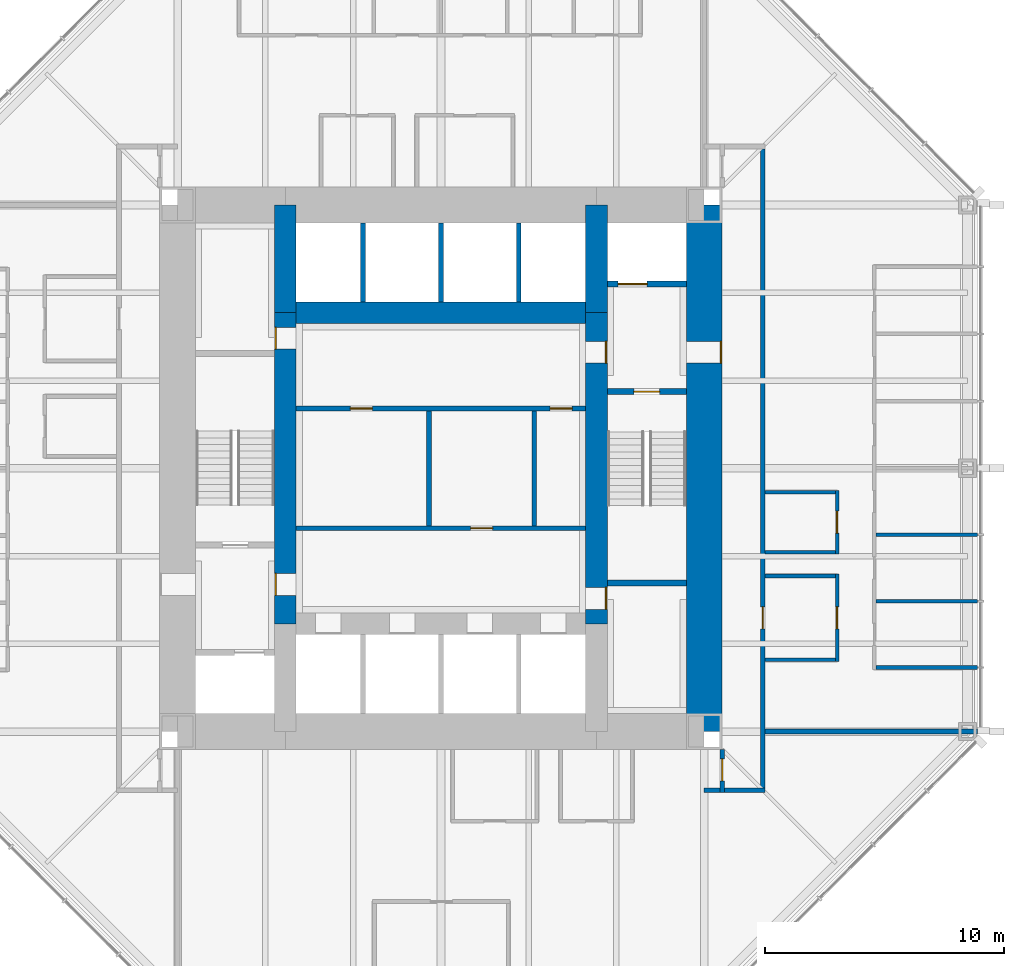
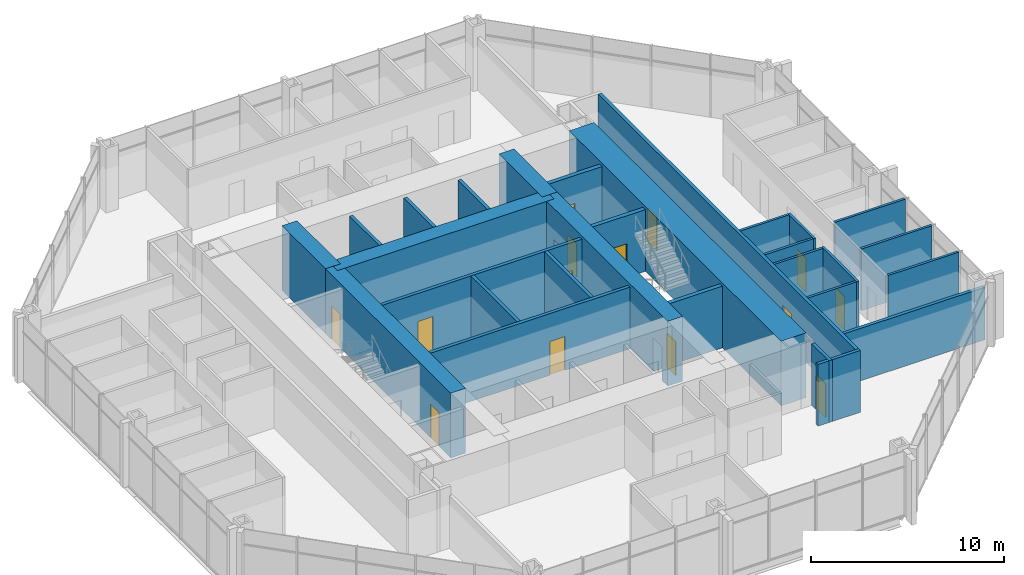
# One storey, part 10 of 14: 29 walls, 14 doors, 14 openings.
"""IFC4 building model written with IfcOpenShell, lengths in metres."""

import ifcopenshell
import ifcopenshell.guid

model = None  # the IFC model being written
_history = None  # IfcOwnerHistory: only IFC2X3 demands one
_inside = {}  # id of a spatial element -> (the spatial element, [elements in it])
_under = {}  # id of a project, library or spatial element -> (it, [spatial elements below it])
_declared = {}  # id of a project -> (the project, [libraries it declares])
_typed = {}  # id of a type object -> (the type object, [elements of that type])
_made_of = {}  # id of a material, layer set ... -> (it, [elements and type objects made of it])


def new_model(schema):
    """Start an empty IFC model of exactly this schema.

    Asked for "IFC4X3", IfcOpenShell would pick the latest addendum, in which some entities
    have other attributes; the version numbers below select the first issue.
    IFC2X3 requires an IfcOwnerHistory on every rooted entity: one is made here for all.
    """
    global model, _history
    if schema == "IFC4X3":
        model = ifcopenshell.file(schema_version=(4, 3, 0, 0))
    else:
        model = ifcopenshell.file(schema=schema)
    _inside.clear()
    _under.clear()
    _declared.clear()
    _typed.clear()
    _made_of.clear()
    _history = None
    if model.schema == "IFC2X3":
        org = make("IfcOrganization", Name="unknown")
        user = make(
            "IfcPersonAndOrganization",
            ThePerson=make("IfcPerson", FamilyName="unknown"),
            TheOrganization=org,
        )
        app = make(
            "IfcApplication",
            ApplicationDeveloper=org,
            Version="unknown",
            ApplicationFullName="unknown",
            ApplicationIdentifier="unknown",
        )
        _history = make(
            "IfcOwnerHistory",
            OwningUser=user,
            OwningApplication=app,
            ChangeAction="ADDED",
            CreationDate=0,
        )
    return model


def make(cls, **values):
    """One entity of the class cls with the attributes given. An attribute that is None is left unset."""
    return model.create_entity(
        cls, **{name: value for name, value in values.items() if value is not None}
    )


def rooted(cls, **values):
    """An entity with a GlobalId (a new one), such as an element, a storey or a relation."""
    return make(cls, GlobalId=ifcopenshell.guid.new(), OwnerHistory=_history, **values)


def si_unit(unit_type, name, prefix=None):
    """IfcSIUnit, for example si_unit("LENGTHUNIT", "METRE", prefix="MILLI")."""
    return make("IfcSIUnit", UnitType=unit_type, Prefix=prefix, Name=name)


def assignment(units):
    """IfcUnitAssignment: the units of a project."""
    return None if units is None else make("IfcUnitAssignment", Units=units)


def point(xyz):
    """IfcCartesianPoint."""
    return None if xyz is None else make("IfcCartesianPoint", Coordinates=xyz)


def direction(xyz):
    """IfcDirection."""
    return None if xyz is None else make("IfcDirection", DirectionRatios=xyz)


def frame(location, z_axis=None, x_axis=None):
    """IfcAxis2Placement3D, a coordinate frame: its origin and axes. An axis left out is left unset."""
    return make(
        "IfcAxis2Placement3D",
        Location=point(location),
        Axis=direction(z_axis),
        RefDirection=direction(x_axis),
    )


def frame_2d(location, x_axis=None):
    """IfcAxis2Placement2D, a coordinate frame in the plane: its origin and x axis."""
    return make(
        "IfcAxis2Placement2D", Location=point(location), RefDirection=direction(x_axis)
    )


def origin():
    """The frame at (0, 0, 0) with its axes left unset."""
    return frame((0.0, 0.0, 0.0))


def place(relative_to, where):
    """IfcLocalPlacement: puts the frame where relative to a parent placement (None: the world)."""
    return make(
        "IfcLocalPlacement", PlacementRelTo=relative_to, RelativePlacement=where
    )


def context(
    kind, dimensions, precision=None, world=None, true_north=None, identifier=None
):
    """IfcGeometricRepresentationContext, for example the 3D "Model" context."""
    return make(
        "IfcGeometricRepresentationContext",
        ContextIdentifier=identifier,
        ContextType=kind,
        CoordinateSpaceDimension=dimensions,
        Precision=precision,
        WorldCoordinateSystem=world,
        TrueNorth=true_north,
    )


def subcontext(parent, identifier, kind, view, scale=None):
    """IfcGeometricRepresentationSubContext, for example "Body" below "Model"."""
    return make(
        "IfcGeometricRepresentationSubContext",
        ContextIdentifier=identifier,
        ContextType=kind,
        ParentContext=parent,
        TargetScale=scale,
        TargetView=view,
    )


def project(units=None, contexts=None):
    """IfcProject with its units and contexts."""
    return rooted(
        "IfcProject",
        Name="project",
        RepresentationContexts=contexts,
        UnitsInContext=assignment(units),
    )


def spatial(cls, under=None, at=None, **own):
    """A site, building, storey or space (cls), placed at a placement, below another one or the project."""
    s = rooted(cls, ObjectPlacement=at, **own)
    if under is not None:
        _under.setdefault(under.id(), (under, []))[1].append(s)
    return s


def profile(cls, at=None, kind="AREA", **sizes):
    """A parametric profile (cls). Its sizes go by their IFC names, for example OverallWidth=200.0."""
    return make(cls, ProfileType=kind, Position=at, **sizes)


def rectangle(**sizes):
    """IfcRectangleProfileDef."""
    return profile("IfcRectangleProfileDef", **sizes)


def extrude(swept, where, along, depth):
    """IfcExtrudedAreaSolid: the profile swept, set in the frame where, extruded along a direction by depth."""
    return make(
        "IfcExtrudedAreaSolid",
        SweptArea=swept,
        Position=where,
        ExtrudedDirection=direction(along),
        Depth=depth,
    )


def shape(context_of_items, identifier, shape_type, items):
    """IfcShapeRepresentation: the items that make up one representation, for example the "Body"."""
    return make(
        "IfcShapeRepresentation",
        ContextOfItems=context_of_items,
        RepresentationIdentifier=identifier,
        RepresentationType=shape_type,
        Items=items,
    )


def material(Name=None, Category=None):
    """IfcMaterial."""
    return make("IfcMaterial", Name=Name, Category=Category)


def layer(
    of_material, thickness, ventilated=None, Name=None, Category=None, Priority=None
):
    """IfcMaterialLayer: one layer of a wall or slab, of a material (None: an air gap)."""
    return make(
        "IfcMaterialLayer",
        Material=of_material,
        LayerThickness=thickness,
        IsVentilated=ventilated,
        Name=Name,
        Category=Category,
        Priority=Priority,
    )


def layer_set(layers, Name=None):
    """IfcMaterialLayerSet."""
    return make("IfcMaterialLayerSet", MaterialLayers=layers, LayerSetName=Name)


def made_of(thing, what):
    """Note that an element or type object is made of a material, layer set ...; save() writes the relation."""
    if what is not None:
        _made_of.setdefault(what.id(), (what, []))[1].append(thing)
    return thing


def type_object(cls, material=None, **own):
    """A type object (cls), such as IfcWallType, which elements share."""
    return made_of(rooted(cls, **own), material)


def element(
    cls,
    number,
    at=None,
    inside=None,
    cuts=None,
    type_object=None,
    material=None,
    context=None,
    identifier="Body",
    shape_type=None,
    held_by="IfcProductDefinitionShape",
    body=None,
    shapes=None,
    **own,
):
    """One element of the class cls, such as IfcWall. Its Tag is "e" and its number.

    at: its placement. inside: the storey or other place that contains it. cuts: it is an
    opening in that element (IfcRelVoidsElement). A single representation is given by context,
    identifier, shape_type and body (its items); several are given by shapes. held_by: the class
    of the entity that holds the representations. save() writes the other relations.
    """
    e = rooted(cls, Tag="e%d" % number, ObjectPlacement=at, **own)
    if body is not None:
        shapes = [shape(context, identifier, shape_type, body)]
    if shapes is not None:
        e.Representation = make(held_by, Representations=shapes)
    if inside is not None:
        _inside.setdefault(inside.id(), (inside, []))[1].append(e)
    if cuts is not None:
        rooted(
            "IfcRelVoidsElement", RelatingBuildingElement=cuts, RelatedOpeningElement=e
        )
    if type_object is not None:
        _typed.setdefault(type_object.id(), (type_object, []))[1].append(e)
    return made_of(e, material)


def fill(opening, filler):
    """IfcRelFillsElement: the door or window that sits in an opening."""
    return rooted(
        "IfcRelFillsElement",
        RelatingOpeningElement=opening,
        RelatedBuildingElement=filler,
    )


def aggregate(whole, parts):
    """IfcRelAggregates: a whole, such as a stair, and the parts it consists of."""
    return rooted("IfcRelAggregates", RelatingObject=whole, RelatedObjects=parts)


def save(model, path):
    """Write the relations noted so far, then the file.

    IfcRelAggregates (storeys below a building ...), IfcRelContainedInSpatialStructure (elements
    in a storey), IfcRelDefinesByType, IfcRelAssociatesMaterial and IfcRelDeclares: one each for
    every whole, place, type object, material and project.
    """
    for whole, parts in _under.values():
        aggregate(whole, parts)
    for where, things in _inside.values():
        rooted(
            "IfcRelContainedInSpatialStructure",
            RelatedElements=things,
            RelatingStructure=where,
        )
    for kind, things in _typed.values():
        rooted("IfcRelDefinesByType", RelatedObjects=things, RelatingType=kind)
    for what, things in _made_of.values():
        rooted("IfcRelAssociatesMaterial", RelatedObjects=things, RelatingMaterial=what)
    for by, libraries in _declared.values():
        rooted("IfcRelDeclares", RelatingContext=by, RelatedDefinitions=libraries)
    model.write(path)


model = new_model("IFC4")

# Units and contexts
model_context = context("Model", 3, precision=1e-05, world=origin(), true_north=direction((0.0, 1.0)))
body_context = subcontext(model_context, "Body", "Model", "MODEL_VIEW")
ifc_project = project(units=[si_unit("LENGTHUNIT", "METRE"), si_unit("AREAUNIT", "SQUARE_METRE"), si_unit("VOLUMEUNIT", "CUBIC_METRE"), si_unit("PLANEANGLEUNIT", "RADIAN"), si_unit("MASSUNIT", "GRAM", prefix="KILO")], contexts=[model_context])

# Site, building, storey
site_placement = place(None, origin())
site = spatial("IfcSite", under=ifc_project, at=site_placement, CompositionType="ELEMENT")
building_placement = place(site_placement, origin())
building = spatial("IfcBuilding", under=site, at=building_placement, Name="Trevanion Tower", CompositionType="ELEMENT")
storey_placement = place(building_placement, frame((0.0, 0.0, 109.0)))
storey = spatial("IfcBuildingStorey", under=building, at=storey_placement, Name="L25", CompositionType="ELEMENT", Elevation=109.0)

# Wall, opening, door
ifc_material_1 = material(Name="Concrete 10,000 psi", Category="concrete")
ifc_layer_1 = layer(ifc_material_1, 1.5)
ifc_layer_set_1 = layer_set([ifc_layer_1], Name="CW1 core wall 1500")
wall_type_1 = type_object("IfcWallType", Name="CW1 core wall 1500", PredefinedType="SHEAR", material=ifc_layer_set_1)
wall_1_placement = place(storey_placement, frame((11.0, -11.0, 0.0), z_axis=(0.0, 0.0, 1.0), x_axis=(0.0, 1.0, 0.0)))
wall_1 = element("IfcWall", 1, at=wall_1_placement, inside=storey, type_object=wall_type_1, Name="CW1 CE L25", PredefinedType="SHEAR", context=body_context, shape_type="SweptSolid", body=[
    extrude(rectangle(XDim=22.0, YDim=1.5, at=frame_2d((11.0, 0.0))), origin(), (0.0, 0.0, 1.0), 4.10009765625),
])
opening_1_placement = place(wall_1_placement, frame((15.392578125, 0.0, 0.0)))
opening_1 = element("IfcOpeningElement", 2, at=opening_1_placement, cuts=wall_1, Name="Opening 25-001", PredefinedType="OPENING", context=body_context, shape_type="SweptSolid", body=[
    extrude(rectangle(XDim=0.9150390625, YDim=2.134033203125, at=frame_2d((0.45751953125, 1.06689453125))), frame((0.0, 0.760009765625, 0.0), z_axis=(0.0, -1.0, 0.0), x_axis=(1.0, 0.0, 0.0)), (0.0, 0.0, 1.0), 1.52001953125),
])
ifc_material_2 = material(Name="Hollow metal, fire rated", Category="steel")
door_type_1 = type_object("IfcDoorType", Name="D3 fire lift lobby door", OperationType="SINGLE_SWING_RIGHT", PredefinedType="DOOR", material=ifc_material_2)
door_1_placement = place(opening_1_placement, origin())
door_1 = element("IfcDoor", 3, at=door_1_placement, inside=storey, type_object=door_type_1, Name="Door 25-001", OperationType="SINGLE_SWING_RIGHT", OverallHeight=2.134033203125, OverallWidth=0.9150390625, PredefinedType="DOOR", context=body_context, shape_type="SweptSolid", body=[
    extrude(rectangle(XDim=0.9150390625, YDim=2.134033203125, at=frame_2d((0.45751953125, 1.06689453125))), frame((0.0, -0.6748046875, 0.0), z_axis=(0.0, -1.0, 0.0), x_axis=(1.0, 0.0, 0.0)), (0.0, 0.0, 1.0), 0.050048828125),
])
fill(opening_1, door_1)

# Wall, openings, doors
ifc_material_3 = material(Name="Concrete 10,000 psi", Category="concrete")
ifc_layer_2 = layer(ifc_material_3, 0.89990234375)
ifc_layer_set_2 = layer_set([ifc_layer_2], Name="CW2 core wall 900")
wall_type_2 = type_object("IfcWallType", Name="CW2 core wall 900", PredefinedType="SHEAR", material=ifc_layer_set_2)
wall_2_placement = place(storey_placement, frame((6.5, -6.5, 0.0), z_axis=(0.0, 0.0, 1.0), x_axis=(0.0, 1.0, 0.0)))
wall_2 = element("IfcWall", 4, at=wall_2_placement, inside=storey, type_object=wall_type_2, Name="CW2 RE2 L25", PredefinedType="SHEAR", context=body_context, shape_type="SweptSolid", body=[
    extrude(rectangle(XDim=13.0, YDim=0.89990234375, at=frame_2d((6.5, 0.0))), origin(), (0.0, 0.0, 1.0), 4.10009765625),
])
opening_2_placement = place(wall_2_placement, frame((10.892578125, 0.0, 0.0)))
opening_2 = element("IfcOpeningElement", 5, at=opening_2_placement, cuts=wall_2, Name="Opening 25-003", PredefinedType="OPENING", context=body_context, shape_type="SweptSolid", body=[
    extrude(rectangle(XDim=0.9150390625, YDim=2.134033203125, at=frame_2d((0.45751953125, 1.06689453125))), frame((0.0, 0.4599609375, 0.0), z_axis=(0.0, -1.0, 0.0), x_axis=(1.0, 0.0, 0.0)), (0.0, 0.0, 1.0), 0.919921875),
])
opening_3_placement = place(wall_2_placement, frame((0.610107421875, 0.0, 0.0)))
opening_3 = element("IfcOpeningElement", 6, at=opening_3_placement, cuts=wall_2, Name="Opening 25-009", PredefinedType="OPENING", context=body_context, shape_type="SweptSolid", body=[
    extrude(rectangle(XDim=0.9150390625, YDim=2.134033203125, at=frame_2d((0.45751953125, 1.06689453125))), frame((0.0, 0.4599609375, 0.0), z_axis=(0.0, -1.0, 0.0), x_axis=(1.0, 0.0, 0.0)), (0.0, 0.0, 1.0), 0.919921875),
])
door_2_placement = place(opening_2_placement, origin())
door_2 = element("IfcDoor", 7, at=door_2_placement, inside=storey, type_object=door_type_1, Name="Door 25-003", OperationType="SINGLE_SWING_RIGHT", OverallHeight=2.134033203125, OverallWidth=0.9150390625, PredefinedType="DOOR", context=body_context, shape_type="SweptSolid", body=[
    extrude(rectangle(XDim=0.9150390625, YDim=2.134033203125, at=frame_2d((0.45751953125, 1.06689453125))), frame((0.0, -0.375, 0.0), z_axis=(0.0, -1.0, 0.0), x_axis=(1.0, 0.0, 0.0)), (0.0, 0.0, 1.0), 0.050048828125),
])
fill(opening_2, door_2)
ifc_material_4 = material(Name="Hollow metal, fire rated", Category="steel")
door_type_2 = type_object("IfcDoorType", Name="D5 service room door", OperationType="SINGLE_SWING_RIGHT", PredefinedType="DOOR", material=ifc_material_4)
door_3_placement = place(opening_3_placement, origin())
door_3 = element("IfcDoor", 8, at=door_3_placement, inside=storey, type_object=door_type_2, Name="Door 25-009", OperationType="SINGLE_SWING_RIGHT", OverallHeight=2.134033203125, OverallWidth=0.9150390625, PredefinedType="DOOR", context=body_context, shape_type="SweptSolid", body=[
    extrude(rectangle(XDim=0.9150390625, YDim=2.134033203125, at=frame_2d((0.45751953125, 1.06689453125))), frame((0.0, -0.375, 0.0), z_axis=(0.0, -1.0, 0.0), x_axis=(1.0, 0.0, 0.0)), (0.0, 0.0, 1.0), 0.050048828125),
])
fill(opening_3, door_3)

# Walls
for number, where, z_axis, x_axis, name in (
    (9, (6.5, 6.5, 0.0), (0.0, 0.0, 1.0), (0.0, 1.0, 0.0), "CW2 RE3 L25"),
    (10, (-6.5, 11.0, 0.0), (0.0, 0.0, 1.0), (0.0, -1.0, 0.0), "CW2 RW1 L25"),
):
    element("IfcWall", number, at=place(storey_placement, frame(where, z_axis=z_axis, x_axis=x_axis)), inside=storey, type_object=wall_type_2, Name=name, PredefinedType="SHEAR", context=body_context, shape_type="SweptSolid", body=[
        extrude(rectangle(XDim=4.5, YDim=0.89990234375, at=frame_2d((2.25, 0.0))), origin(), (0.0, 0.0, 1.0), 4.10009765625),
    ])

# Wall, openings, doors
wall_3_placement = place(storey_placement, frame((-6.5, 6.5, 0.0), z_axis=(0.0, 0.0, 1.0), x_axis=(0.0, -1.0, 0.0)))
wall_3 = element("IfcWall", 11, at=wall_3_placement, inside=storey, type_object=wall_type_2, Name="CW2 RW2 L25", PredefinedType="SHEAR", context=body_context, shape_type="SweptSolid", body=[
    extrude(rectangle(XDim=13.0, YDim=0.89990234375, at=frame_2d((6.5, 0.0))), origin(), (0.0, 0.0, 1.0), 4.10009765625),
])
opening_4_placement = place(wall_3_placement, frame((10.892578125, 0.0, 0.0)))
opening_4 = element("IfcOpeningElement", 12, at=opening_4_placement, cuts=wall_3, Name="Opening 25-004", PredefinedType="OPENING", context=body_context, shape_type="SweptSolid", body=[
    extrude(rectangle(XDim=0.9150390625, YDim=2.134033203125, at=frame_2d((0.45751953125, 1.06689453125))), frame((0.0, 0.4599609375, 0.0), z_axis=(0.0, -1.0, 0.0), x_axis=(1.0, 0.0, 0.0)), (0.0, 0.0, 1.0), 0.919921875),
])
opening_5_placement = place(wall_3_placement, frame((0.610107421875, 0.0, 0.0)))
opening_5 = element("IfcOpeningElement", 13, at=opening_5_placement, cuts=wall_3, Name="Opening 25-010", PredefinedType="OPENING", context=body_context, shape_type="SweptSolid", body=[
    extrude(rectangle(XDim=0.9150390625, YDim=2.134033203125, at=frame_2d((0.45751953125, 1.06689453125))), frame((0.0, 0.4599609375, 0.0), z_axis=(0.0, -1.0, 0.0), x_axis=(1.0, 0.0, 0.0)), (0.0, 0.0, 1.0), 0.919921875),
])
door_4_placement = place(opening_4_placement, origin())
door_4 = element("IfcDoor", 14, at=door_4_placement, inside=storey, type_object=door_type_1, Name="Door 25-004", OperationType="SINGLE_SWING_RIGHT", OverallHeight=2.134033203125, OverallWidth=0.9150390625, PredefinedType="DOOR", context=body_context, shape_type="SweptSolid", body=[
    extrude(rectangle(XDim=0.9150390625, YDim=2.134033203125, at=frame_2d((0.45751953125, 1.06689453125))), frame((0.0, -0.375, 0.0), z_axis=(0.0, -1.0, 0.0), x_axis=(1.0, 0.0, 0.0)), (0.0, 0.0, 1.0), 0.050048828125),
])
fill(opening_4, door_4)
door_5_placement = place(opening_5_placement, origin())
door_5 = element("IfcDoor", 15, at=door_5_placement, inside=storey, type_object=door_type_2, Name="Door 25-010", OperationType="SINGLE_SWING_RIGHT", OverallHeight=2.134033203125, OverallWidth=0.9150390625, PredefinedType="DOOR", context=body_context, shape_type="SweptSolid", body=[
    extrude(rectangle(XDim=0.9150390625, YDim=2.134033203125, at=frame_2d((0.45751953125, 1.06689453125))), frame((0.0, -0.375, 0.0), z_axis=(0.0, -1.0, 0.0), x_axis=(1.0, 0.0, 0.0)), (0.0, 0.0, 1.0), 0.050048828125),
])
fill(opening_5, door_5)

# Walls
wall_4_placement = place(storey_placement, frame((6.5, 6.5, 0.0), z_axis=(0.0, 0.0, 1.0), x_axis=(-1.0, 0.0, 0.0)))
element("IfcWall", 16, at=wall_4_placement, inside=storey, type_object=wall_type_2, Name="CW2 RN L25", PredefinedType="SHEAR", context=body_context, shape_type="SweptSolid", body=[
    extrude(rectangle(XDim=13.0, YDim=0.89990234375, at=frame_2d((6.5, 0.0))), origin(), (0.0, 0.0, 1.0), 4.10009765625),
])
ifc_material_5 = material(Name="Gypsum board on steel studs", Category="steel")
ifc_layer_3 = layer(ifc_material_5, 0.14990234375)
ifc_layer_set_3 = layer_set([ifc_layer_3], Name="PT1 partition 150")
wall_type_3 = type_object("IfcWallType", Name="PT1 partition 150", PredefinedType="PARTITIONING", material=ifc_layer_set_3)
for number, where, z_axis, x_axis, name in (
    (17, (18.175048828125, -8.322998046875, 0.0), (0.0, 0.0, 1.0), (1.0, 0.0, 0.0), "PT1 L25 FC0S0"),
    (18, (18.175048828125, -5.549072265625, 0.0), (0.0, 0.0, 1.0), (1.0, 0.0, 0.0), "PT1 L25 FC0S1"),
    (19, (18.175048828125, -2.77490234375, 0.0), (0.0, 0.0, 1.0), (1.0, 0.0, 0.0), "PT1 L25 FC0S2"),
):
    element("IfcWall", number, at=place(storey_placement, frame(where, z_axis=z_axis, x_axis=x_axis)), inside=storey, type_object=wall_type_3, Name=name, PredefinedType="PARTITIONING", context=body_context, shape_type="SweptSolid", body=[
        extrude(rectangle(XDim=4.239990234375, YDim=0.14990234375, at=frame_2d((2.1201171875, 0.0))), origin(), (0.0, 0.0, 1.0), 3.909912109375),
    ])

# Wall, opening, door
wall_5_placement = place(storey_placement, frame((16.550048828125, -8.074951171875, 0.0), z_axis=(0.0, 0.0, 1.0), x_axis=(0.0, 1.0, 0.0)))
wall_5 = element("IfcWall", 20, at=wall_5_placement, inside=storey, type_object=wall_type_3, Name="PT1 L25 IN00F", PredefinedType="PARTITIONING", context=body_context, shape_type="SweptSolid", body=[
    extrude(rectangle(XDim=3.64990234375, YDim=0.14990234375, at=frame_2d((1.824951171875, 0.0))), origin(), (0.0, 0.0, 1.0), 3.909912109375),
])
opening_6_placement = place(wall_5_placement, frame((1.367431640625, 0.0, 0.0)))
opening_6 = element("IfcOpeningElement", 21, at=opening_6_placement, cuts=wall_5, Name="Opening 25-040", PredefinedType="OPENING", context=body_context, shape_type="SweptSolid", body=[
    extrude(rectangle(XDim=0.9150390625, YDim=2.134033203125, at=frame_2d((0.45751953125, 1.06689453125))), frame((0.0, 0.0849609375, 0.0), z_axis=(0.0, -1.0, 0.0), x_axis=(1.0, 0.0, 0.0)), (0.0, 0.0, 1.0), 0.169921875),
])
ifc_material_6 = material(Name="Timber veneer, solid core", Category="wood")
door_type_3 = type_object("IfcDoorType", Name="D1 office and meeting room door", OperationType="SINGLE_SWING_LEFT", PredefinedType="DOOR", material=ifc_material_6)
door_6_placement = place(opening_6_placement, origin())
door_6 = element("IfcDoor", 22, at=door_6_placement, inside=storey, type_object=door_type_3, Name="Door 25-040", OperationType="SINGLE_SWING_LEFT", OverallHeight=2.134033203125, OverallWidth=0.9150390625, PredefinedType="DOOR", context=body_context, shape_type="SweptSolid", body=[
    extrude(rectangle(XDim=0.9150390625, YDim=2.134033203125, at=frame_2d((0.45751953125, 1.06689453125))), frame((0.0, 0.02490234375, 0.0), z_axis=(0.0, -1.0, 0.0), x_axis=(1.0, 0.0, 0.0)), (0.0, 0.0, 1.0), 0.050048828125),
])
fill(opening_6, door_6)

# Walls
for number, where, z_axis, x_axis, name in (
    (23, (16.47509765625, -8.0, 0.0), (0.0, 0.0, 1.0), (-1.0, 0.0, 0.0), "PT1 L25 IN00S0"),
    (24, (16.47509765625, -4.5, 0.0), (0.0, 0.0, 1.0), (-1.0, 0.0, 0.0), "PT1 L25 IN00S1"),
):
    element("IfcWall", number, at=place(storey_placement, frame(where, z_axis=z_axis, x_axis=x_axis)), inside=storey, type_object=wall_type_3, Name=name, PredefinedType="PARTITIONING", context=body_context, shape_type="SweptSolid", body=[
        extrude(rectangle(XDim=2.925048828125, YDim=0.14990234375, at=frame_2d((1.46240234375, 0.0))), origin(), (0.0, 0.0, 1.0), 3.909912109375),
    ])

# Wall, opening, door
wall_6_placement = place(storey_placement, frame((16.550048828125, -3.574951171875, 0.0), z_axis=(0.0, 0.0, 1.0), x_axis=(0.0, 1.0, 0.0)))
wall_6 = element("IfcWall", 25, at=wall_6_placement, inside=storey, type_object=wall_type_3, Name="PT1 L25 IN01F", PredefinedType="PARTITIONING", context=body_context, shape_type="SweptSolid", body=[
    extrude(rectangle(XDim=2.64990234375, YDim=0.14990234375, at=frame_2d((1.324951171875, 0.0))), origin(), (0.0, 0.0, 1.0), 3.909912109375),
])
opening_7_placement = place(wall_6_placement, frame((0.867431640625, 0.0, 0.0)))
opening_7 = element("IfcOpeningElement", 26, at=opening_7_placement, cuts=wall_6, Name="Opening 25-042", PredefinedType="OPENING", context=body_context, shape_type="SweptSolid", body=[
    extrude(rectangle(XDim=0.9150390625, YDim=2.134033203125, at=frame_2d((0.45751953125, 1.06689453125))), frame((0.0, 0.0849609375, 0.0), z_axis=(0.0, -1.0, 0.0), x_axis=(1.0, 0.0, 0.0)), (0.0, 0.0, 1.0), 0.169921875),
])
door_7_placement = place(opening_7_placement, origin())
door_7 = element("IfcDoor", 27, at=door_7_placement, inside=storey, type_object=door_type_3, Name="Door 25-042", OperationType="SINGLE_SWING_LEFT", OverallHeight=2.134033203125, OverallWidth=0.9150390625, PredefinedType="DOOR", context=body_context, shape_type="SweptSolid", body=[
    extrude(rectangle(XDim=0.9150390625, YDim=2.134033203125, at=frame_2d((0.45751953125, 1.06689453125))), frame((0.0, 0.02490234375, 0.0), z_axis=(0.0, -1.0, 0.0), x_axis=(1.0, 0.0, 0.0)), (0.0, 0.0, 1.0), 0.050048828125),
])
fill(opening_7, door_7)

# Walls
for number, where, z_axis, x_axis, name in (
    (28, (16.47509765625, -3.5, 0.0), (0.0, 0.0, 1.0), (-1.0, 0.0, 0.0), "PT1 L25 IN01S0"),
    (29, (16.47509765625, -1.0, 0.0), (0.0, 0.0, 1.0), (-1.0, 0.0, 0.0), "PT1 L25 IN01S1"),
):
    element("IfcWall", number, at=place(storey_placement, frame(where, z_axis=z_axis, x_axis=x_axis)), inside=storey, type_object=wall_type_3, Name=name, PredefinedType="PARTITIONING", context=body_context, shape_type="SweptSolid", body=[
        extrude(rectangle(XDim=2.925048828125, YDim=0.14990234375, at=frame_2d((1.46240234375, 0.0))), origin(), (0.0, 0.0, 1.0), 3.909912109375),
    ])
ifc_material_7 = material(Name="Concrete masonry, grouted", Category="masonry")
ifc_layer_4 = layer(ifc_material_7, 0.199951171875)
ifc_layer_set_4 = layer_set([ifc_layer_4], Name="PT2 partition 200")
wall_type_4 = type_object("IfcWallType", Name="PT2 partition 200", PredefinedType="PARTITIONING", material=ifc_layer_set_4)
for number, where, z_axis, x_axis, name in (
    (30, (-0.5, -2.39990234375, 0.0), (0.0, 0.0, 1.0), (0.0, 1.0, 0.0), "PT2 L25 TP1"),
    (31, (3.89990234375, -2.39990234375, 0.0), (0.0, 0.0, 1.0), (0.0, 1.0, 0.0), "PT2 L25 TP2"),
):
    element("IfcWall", number, at=place(storey_placement, frame(where, z_axis=z_axis, x_axis=x_axis)), inside=storey, type_object=wall_type_4, Name=name, PredefinedType="PARTITIONING", context=body_context, shape_type="SweptSolid", body=[
        extrude(rectangle(XDim=4.7998046875, YDim=0.199951171875, at=frame_2d((2.39990234375, 0.0))), origin(), (0.0, 0.0, 1.0), 3.909912109375),
    ])

# Wall, openings, doors
ifc_material_8 = material(Name="Concrete masonry, grouted", Category="masonry")
ifc_layer_5 = layer(ifc_material_8, 0.199951171875)
ifc_layer_set_5 = layer_set([ifc_layer_5], Name="PT2 partition 200 1 HR")
wall_type_5 = type_object("IfcWallType", Name="PT2 partition 200 1 HR", PredefinedType="PARTITIONING", material=ifc_layer_set_5)
wall_7_placement = place(storey_placement, frame((-6.050048828125, 2.5, 0.0), z_axis=(0.0, 0.0, 1.0), x_axis=(1.0, 0.0, 0.0)))
wall_7 = element("IfcWall", 32, at=wall_7_placement, inside=storey, type_object=wall_type_5, Name="PT2 L25 CP1", PredefinedType="PARTITIONING", context=body_context, shape_type="SweptSolid", body=[
    extrude(rectangle(XDim=12.10009765625, YDim=0.199951171875, at=frame_2d((6.050048828125, 0.0))), origin(), (0.0, 0.0, 1.0), 3.909912109375),
])
opening_8_placement = place(wall_7_placement, frame((2.267578125, 0.0, 0.0)))
opening_8 = element("IfcOpeningElement", 33, at=opening_8_placement, cuts=wall_7, Name="Opening 25-015", PredefinedType="OPENING", context=body_context, shape_type="SweptSolid", body=[
    extrude(rectangle(XDim=0.9150390625, YDim=2.134033203125, at=frame_2d((0.45751953125, 1.06689453125))), frame((0.0, 0.10986328125, 0.0), z_axis=(0.0, -1.0, 0.0), x_axis=(1.0, 0.0, 0.0)), (0.0, 0.0, 1.0), 0.219970703125),
])
opening_9_placement = place(wall_7_placement, frame((10.617431640625, 0.0, 0.0)))
opening_9 = element("IfcOpeningElement", 34, at=opening_9_placement, cuts=wall_7, Name="Opening 25-017", PredefinedType="OPENING", context=body_context, shape_type="SweptSolid", body=[
    extrude(rectangle(XDim=0.9150390625, YDim=2.134033203125, at=frame_2d((0.45751953125, 1.06689453125))), frame((0.0, 0.10986328125, 0.0), z_axis=(0.0, -1.0, 0.0), x_axis=(1.0, 0.0, 0.0)), (0.0, 0.0, 1.0), 0.219970703125),
])
ifc_material_9 = material(Name="Plastic laminate on fire-rated core", Category="wood")
door_type_4 = type_object("IfcDoorType", Name="D12 toilet door in a one hour wall", OperationType="SINGLE_SWING_LEFT", PredefinedType="DOOR", material=ifc_material_9)
door_8_placement = place(opening_8_placement, origin())
door_8 = element("IfcDoor", 35, at=door_8_placement, inside=storey, type_object=door_type_4, Name="Door 25-015", OperationType="SINGLE_SWING_LEFT", OverallHeight=2.134033203125, OverallWidth=0.9150390625, PredefinedType="DOOR", context=body_context, shape_type="SweptSolid", body=[
    extrude(rectangle(XDim=0.9150390625, YDim=2.134033203125, at=frame_2d((0.45751953125, 1.06689453125))), frame((0.0, 0.02490234375, 0.0), z_axis=(0.0, -1.0, 0.0), x_axis=(1.0, 0.0, 0.0)), (0.0, 0.0, 1.0), 0.050048828125),
])
fill(opening_8, door_8)
door_9_placement = place(opening_9_placement, origin())
door_9 = element("IfcDoor", 36, at=door_9_placement, inside=storey, type_object=door_type_4, Name="Door 25-017", OperationType="SINGLE_SWING_LEFT", OverallHeight=2.134033203125, OverallWidth=0.9150390625, PredefinedType="DOOR", context=body_context, shape_type="SweptSolid", body=[
    extrude(rectangle(XDim=0.9150390625, YDim=2.134033203125, at=frame_2d((0.45751953125, 1.06689453125))), frame((0.0, 0.02490234375, 0.0), z_axis=(0.0, -1.0, 0.0), x_axis=(1.0, 0.0, 0.0)), (0.0, 0.0, 1.0), 0.050048828125),
])
fill(opening_9, door_9)

# Wall, opening, door
wall_8_placement = place(storey_placement, frame((6.050048828125, -2.5, 0.0), z_axis=(0.0, 0.0, 1.0), x_axis=(-1.0, 0.0, 0.0)))
wall_8 = element("IfcWall", 37, at=wall_8_placement, inside=storey, type_object=wall_type_5, Name="PT2 L25 CP2", PredefinedType="PARTITIONING", context=body_context, shape_type="SweptSolid", body=[
    extrude(rectangle(XDim=12.10009765625, YDim=0.199951171875, at=frame_2d((6.050048828125, 0.0))), origin(), (0.0, 0.0, 1.0), 3.909912109375),
])
opening_10_placement = place(wall_8_placement, frame((3.892578125, 0.0, 0.0)))
opening_10 = element("IfcOpeningElement", 38, at=opening_10_placement, cuts=wall_8, Name="Opening 25-016", PredefinedType="OPENING", context=body_context, shape_type="SweptSolid", body=[
    extrude(rectangle(XDim=0.9150390625, YDim=2.134033203125, at=frame_2d((0.45751953125, 1.06689453125))), frame((0.0, 0.10986328125, 0.0), z_axis=(0.0, -1.0, 0.0), x_axis=(1.0, 0.0, 0.0)), (0.0, 0.0, 1.0), 0.219970703125),
])
door_10_placement = place(opening_10_placement, origin())
door_10 = element("IfcDoor", 39, at=door_10_placement, inside=storey, type_object=door_type_4, Name="Door 25-016", OperationType="SINGLE_SWING_LEFT", OverallHeight=2.134033203125, OverallWidth=0.9150390625, PredefinedType="DOOR", context=body_context, shape_type="SweptSolid", body=[
    extrude(rectangle(XDim=0.9150390625, YDim=2.134033203125, at=frame_2d((0.45751953125, 1.06689453125))), frame((0.0, 0.02490234375, 0.0), z_axis=(0.0, -1.0, 0.0), x_axis=(1.0, 0.0, 0.0)), (0.0, 0.0, 1.0), 0.050048828125),
])
fill(opening_10, door_10)

wall_9_placement = place(storey_placement, frame((13.449951171875, -13.550048828125, 0.0), z_axis=(0.0, 0.0, 1.0), x_axis=(0.0, 1.0, 0.0)))
wall_9 = element("IfcWall", 40, at=wall_9_placement, inside=storey, type_object=wall_type_5, Name="PT2 L25 OC0", PredefinedType="PARTITIONING", context=body_context, shape_type="SweptSolid", body=[
    extrude(rectangle(XDim=26.900146484375, YDim=0.199951171875, at=frame_2d((13.4501953125, 0.0))), origin(), (0.0, 0.0, 1.0), 3.909912109375),
])
opening_11_placement = place(wall_9_placement, frame((6.842529296875, 0.0, 0.0)))
opening_11 = element("IfcOpeningElement", 41, at=opening_11_placement, cuts=wall_9, Name="Opening 25-041", PredefinedType="OPENING", context=body_context, shape_type="SweptSolid", body=[
    extrude(rectangle(XDim=0.9150390625, YDim=2.134033203125, at=frame_2d((0.45751953125, 1.06689453125))), frame((0.0, 0.10986328125, 0.0), z_axis=(0.0, -1.0, 0.0), x_axis=(1.0, 0.0, 0.0)), (0.0, 0.0, 1.0), 0.219970703125),
])
ifc_material_10 = material(Name="Timber veneer, fire rated", Category="wood")
door_type_5 = type_object("IfcDoorType", Name="D10 office door in a one hour wall", OperationType="SINGLE_SWING_LEFT", PredefinedType="DOOR", material=ifc_material_10)
door_11_placement = place(opening_11_placement, origin())
door_11 = element("IfcDoor", 42, at=door_11_placement, inside=storey, type_object=door_type_5, Name="Door 25-041", OperationType="SINGLE_SWING_LEFT", OverallHeight=2.134033203125, OverallWidth=0.9150390625, PredefinedType="DOOR", context=body_context, shape_type="SweptSolid", body=[
    extrude(rectangle(XDim=0.9150390625, YDim=2.134033203125, at=frame_2d((0.45751953125, 1.06689453125))), frame((0.0, 0.02490234375, 0.0), z_axis=(0.0, -1.0, 0.0), x_axis=(1.0, 0.0, 0.0)), (0.0, 0.0, 1.0), 0.050048828125),
])
fill(opening_11, door_11)

wall_10_placement = place(storey_placement, frame((11.75, -11.75, 0.0), z_axis=(0.0, 0.0, 1.0), x_axis=(0.0, -1.0, 0.0)))
wall_10 = element("IfcWall", 43, at=wall_10_placement, inside=storey, type_object=wall_type_5, Name="PT2 L25 OUSE1", PredefinedType="PARTITIONING", context=body_context, shape_type="SweptSolid", body=[
    extrude(rectangle(XDim=1.800048828125, YDim=0.199951171875, at=frame_2d((0.89990234375, 0.0))), origin(), (0.0, 0.0, 1.0), 3.909912109375),
])
opening_12_placement = place(wall_10_placement, frame((0.392578125, 0.0, 0.0)))
opening_12 = element("IfcOpeningElement", 44, at=opening_12_placement, cuts=wall_10, Name="Opening 25-020", PredefinedType="OPENING", context=body_context, shape_type="SweptSolid", body=[
    extrude(rectangle(XDim=0.9150390625, YDim=2.134033203125, at=frame_2d((0.45751953125, 1.06689453125))), frame((0.0, 0.10986328125, 0.0), z_axis=(0.0, -1.0, 0.0), x_axis=(1.0, 0.0, 0.0)), (0.0, 0.0, 1.0), 0.219970703125),
])
door_12_placement = place(opening_12_placement, origin())
door_12 = element("IfcDoor", 45, at=door_12_placement, inside=storey, type_object=door_type_5, Name="Door 25-020", OperationType="SINGLE_SWING_LEFT", OverallHeight=2.134033203125, OverallWidth=0.9150390625, PredefinedType="DOOR", context=body_context, shape_type="SweptSolid", body=[
    extrude(rectangle(XDim=0.9150390625, YDim=2.134033203125, at=frame_2d((0.45751953125, 1.06689453125))), frame((0.0, 0.02490234375, 0.0), z_axis=(0.0, -1.0, 0.0), x_axis=(1.0, 0.0, 0.0)), (0.0, 0.0, 1.0), 0.050048828125),
])
fill(opening_12, door_12)

# Walls
wall_11_placement = place(storey_placement, frame((11.0, -13.449951171875, 0.0), z_axis=(0.0, 0.0, 1.0), x_axis=(1.0, 0.0, 0.0)))
element("IfcWall", 46, at=wall_11_placement, inside=storey, type_object=wall_type_5, Name="PT2 L25 OUSE2", PredefinedType="PARTITIONING", context=body_context, shape_type="SweptSolid", body=[
    extrude(rectangle(XDim=2.550048828125, YDim=0.199951171875, at=frame_2d((1.27490234375, 0.0))), origin(), (0.0, 0.0, 1.0), 3.909912109375),
])
wall_12_placement = place(storey_placement, frame((13.550048828125, -11.0, 0.0), z_axis=(0.0, 0.0, 1.0), x_axis=(1.0, 0.0, 0.0)))
element("IfcWall", 47, at=wall_12_placement, inside=storey, type_object=wall_type_5, Name="PT2 L25 DM3", PredefinedType="PARTITIONING", context=body_context, shape_type="SweptSolid", body=[
    extrude(rectangle(XDim=8.864990234375, YDim=0.199951171875, at=frame_2d((4.4326171875, 0.0))), origin(), (0.0, 0.0, 1.0), 3.32568359375),
])
ifc_material_11 = material(Name="Concrete masonry, grouted", Category="masonry")
ifc_layer_6 = layer(ifc_material_11, 0.199951171875)
ifc_layer_set_6 = layer_set([ifc_layer_6], Name="PT2 partition 200 2 HR")
wall_type_6 = type_object("IfcWallType", Name="PT2 partition 200 2 HR", PredefinedType="PARTITIONING", material=ifc_layer_set_6)
for number, where, z_axis, x_axis, name in (
    (48, (-3.25, 6.949951171875, 0.0), (0.0, 0.0, 1.0), (0.0, 1.0, 0.0), "PT2 L25 NS0"),
    (49, (0.0, 6.949951171875, 0.0), (0.0, 0.0, 1.0), (0.0, 1.0, 0.0), "PT2 L25 NS1"),
    (50, (3.25, 6.949951171875, 0.0), (0.0, 0.0, 1.0), (0.0, 1.0, 0.0), "PT2 L25 NS2"),
):
    element("IfcWall", number, at=place(storey_placement, frame(where, z_axis=z_axis, x_axis=x_axis)), inside=storey, type_object=wall_type_6, Name=name, PredefinedType="PARTITIONING", context=body_context, shape_type="SweptSolid", body=[
        extrude(rectangle(XDim=3.300048828125, YDim=0.199951171875, at=frame_2d((1.64990234375, 0.0))), origin(), (0.0, 0.0, 1.0), 3.909912109375),
    ])

# Wall, opening, door
ifc_material_12 = material(Name="Concrete masonry, grouted, two-hour", Category="masonry")
ifc_layer_7 = layer(ifc_material_12, 0.25)
ifc_layer_set_7 = layer_set([ifc_layer_7], Name="PT3 partition 250 2 HR")
wall_type_7 = type_object("IfcWallType", Name="PT3 partition 250 2 HR", PredefinedType="PARTITIONING", material=ifc_layer_set_7)
wall_13_placement = place(storey_placement, frame((6.949951171875, 7.699951171875, 0.0), z_axis=(0.0, 0.0, 1.0), x_axis=(1.0, 0.0, 0.0)))
wall_13 = element("IfcWall", 51, at=wall_13_placement, inside=storey, type_object=wall_type_7, Name="PT3 L25 EP3", PredefinedType="PARTITIONING", context=body_context, shape_type="SweptSolid", body=[
    extrude(rectangle(XDim=3.300048828125, YDim=0.25, at=frame_2d((1.64990234375, 0.0))), origin(), (0.0, 0.0, 1.0), 3.909912109375),
])
opening_13_placement = place(wall_13_placement, frame((0.449951171875, 0.0, 0.0)))
opening_13 = element("IfcOpeningElement", 52, at=opening_13_placement, cuts=wall_13, Name="Opening 25-007", PredefinedType="OPENING", context=body_context, shape_type="SweptSolid", body=[
    extrude(rectangle(XDim=1.218994140625, YDim=2.134033203125, at=frame_2d((0.609375, 1.06689453125))), frame((0.0, 0.135009765625, 0.0), z_axis=(0.0, -1.0, 0.0), x_axis=(1.0, 0.0, 0.0)), (0.0, 0.0, 1.0), 0.27001953125),
])
ifc_material_13 = material(Name="Stainless steel, fire rated", Category="steel")
door_type_6 = type_object("IfcDoorType", Name="LD2 fire service lift landing door", OperationType="SLIDING_TO_LEFT", PredefinedType="DOOR", material=ifc_material_13)
door_13_placement = place(opening_13_placement, origin())
door_13 = element("IfcDoor", 53, at=door_13_placement, inside=storey, type_object=door_type_6, Name="Door 25-007", OperationType="SLIDING_TO_LEFT", OverallHeight=2.134033203125, OverallWidth=1.218994140625, PredefinedType="DOOR", context=body_context, shape_type="SweptSolid", body=[
    extrude(rectangle(XDim=1.218994140625, YDim=2.134033203125, at=frame_2d((0.609375, 1.06689453125))), frame((0.0, 0.02490234375, 0.0), z_axis=(0.0, -1.0, 0.0), x_axis=(1.0, 0.0, 0.0)), (0.0, 0.0, 1.0), 0.050048828125),
])
fill(opening_13, door_13)

# Wall
ifc_material_14 = material(Name="Reinforced masonry, fully grouted", Category="masonry")
ifc_layer_8 = layer(ifc_material_14, 0.25)
ifc_layer_set_8 = layer_set([ifc_layer_8], Name="SW1 stair shaft wall 250")
wall_type_8 = type_object("IfcWallType", Name="SW1 stair shaft wall 250", PredefinedType="SOLIDWALL", material=ifc_layer_set_8)
wall_14_placement = place(storey_placement, frame((6.949951171875, -4.800048828125, 0.0), z_axis=(0.0, 0.0, 1.0), x_axis=(1.0, 0.0, 0.0)))
element("IfcWall", 54, at=wall_14_placement, inside=storey, type_object=wall_type_8, Name="SW1 L25 EP1", PredefinedType="SOLIDWALL", context=body_context, shape_type="SweptSolid", body=[
    extrude(rectangle(XDim=3.300048828125, YDim=0.25, at=frame_2d((1.64990234375, 0.0))), origin(), (0.0, 0.0, 1.0), 3.909912109375),
])

# Wall, opening, door
wall_15_placement = place(storey_placement, frame((6.949951171875, 3.199951171875, 0.0), z_axis=(0.0, 0.0, 1.0), x_axis=(1.0, 0.0, 0.0)))
wall_15 = element("IfcWall", 55, at=wall_15_placement, inside=storey, type_object=wall_type_8, Name="SW1 L25 EP2", PredefinedType="SOLIDWALL", context=body_context, shape_type="SweptSolid", body=[
    extrude(rectangle(XDim=3.300048828125, YDim=0.25, at=frame_2d((1.64990234375, 0.0))), origin(), (0.0, 0.0, 1.0), 3.909912109375),
])
opening_14_placement = place(wall_15_placement, frame((1.116455078125, 0.0, 0.0)))
opening_14 = element("IfcOpeningElement", 56, at=opening_14_placement, cuts=wall_15, Name="Opening 25-005", PredefinedType="OPENING", context=body_context, shape_type="SweptSolid", body=[
    extrude(rectangle(XDim=1.06689453125, YDim=2.134033203125, at=frame_2d((0.533447265625, 1.06689453125))), frame((0.0, 0.135009765625, 0.0), z_axis=(0.0, -1.0, 0.0), x_axis=(1.0, 0.0, 0.0)), (0.0, 0.0, 1.0), 0.27001953125),
])
ifc_material_15 = material(Name="Hollow metal, fire rated", Category="steel")
door_type_7 = type_object("IfcDoorType", Name="D2 exit stair door", OperationType="SINGLE_SWING_LEFT", PredefinedType="DOOR", material=ifc_material_15)
door_14_placement = place(opening_14_placement, origin())
door_14 = element("IfcDoor", 57, at=door_14_placement, inside=storey, type_object=door_type_7, Name="Door 25-005", OperationType="SINGLE_SWING_LEFT", OverallHeight=2.134033203125, OverallWidth=1.06689453125, PredefinedType="DOOR", context=body_context, shape_type="SweptSolid", body=[
    extrude(rectangle(XDim=1.06689453125, YDim=2.134033203125, at=frame_2d((0.533447265625, 1.06689453125))), frame((0.0, 0.02490234375, 0.0), z_axis=(0.0, -1.0, 0.0), x_axis=(1.0, 0.0, 0.0)), (0.0, 0.0, 1.0), 0.050048828125),
])
fill(opening_14, door_14)

save(model, "model.ifc")
